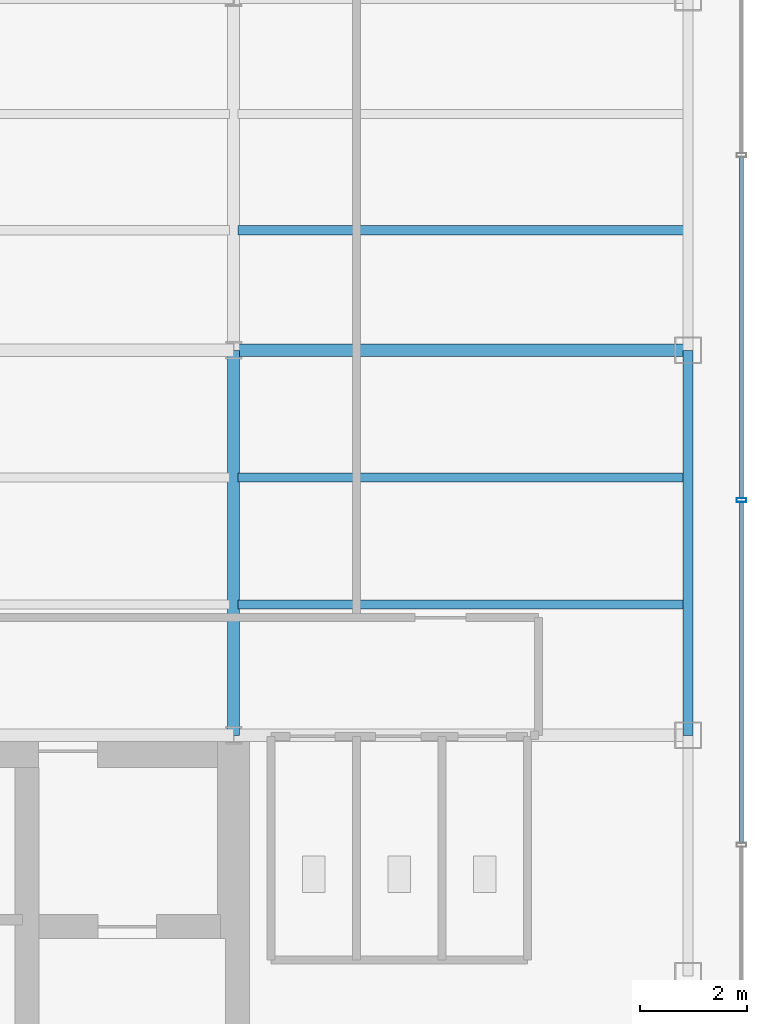
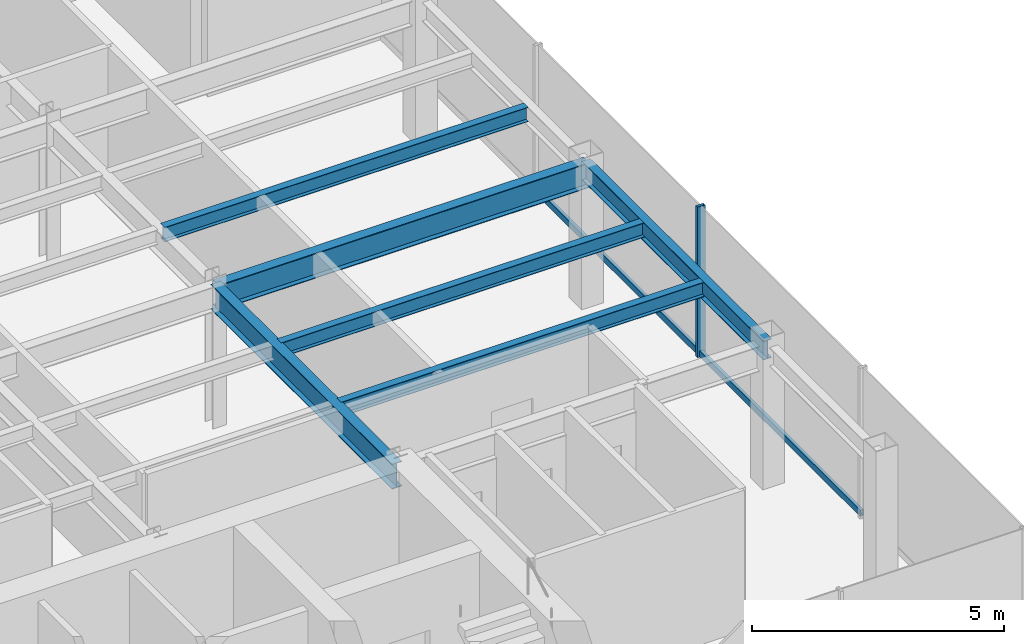
# One storey, part 10 of 22: 6 beams, 3 members, 1 element without a shape of its own.
"""IFC4 building model written with IfcOpenShell, lengths in metres."""

from ifc_helpers import new_model, si_unit, derived_unit, direction, frame, origin, origin_2d, place, context, subcontext, project, spatial, hollow_rectangle, i_section, extrude, source, transform, mapped, material, material_profile, profile_set, type_object, element, aggregate, save


model = new_model("IFC4")

# Units and contexts
model_context = context("Model", 3, precision=1e-05, world=origin(), true_north=direction((0.0, 1.0)))
body_context = subcontext(model_context, "Body", "Model", "MODEL_VIEW")
ifc_project = project(units=[si_unit("LENGTHUNIT", "METRE"), si_unit("AREAUNIT", "SQUARE_METRE"), si_unit("VOLUMEUNIT", "CUBIC_METRE"), si_unit("PLANEANGLEUNIT", "RADIAN"), si_unit("MASSUNIT", "GRAM", prefix="KILO"), derived_unit("THERMALTRANSMITTANCEUNIT", [(si_unit("POWERUNIT", "WATT"), 1), (si_unit("LENGTHUNIT", "METRE"), -2), (si_unit("THERMODYNAMICTEMPERATUREUNIT", "KELVIN"), -1)])], contexts=[model_context])

# Site, building, storey
site_placement = place(None, origin())
site = spatial("IfcSite", under=ifc_project, at=site_placement, CompositionType="ELEMENT")
building_placement = place(site_placement, origin())
building = spatial("IfcBuilding", under=site, at=building_placement, Name="Skarnbrae Concourse Arena and Tower", CompositionType="ELEMENT")
storey_placement = place(building_placement, frame((0.0, 0.0, 225.10009765625)))
storey = spatial("IfcBuildingStorey", under=building, at=storey_placement, Name="L58", CompositionType="ELEMENT", Elevation=225.10009765625)

# Beams
ifc_material_1 = material(Name="Steel CSA G40.21 350W", Category="steel")
ifc_material_profile_1 = material_profile(ifc_material_1, i_section(OverallWidth=0.22802734375, OverallDepth=0.60791015625, WebThickness=0.01123046875, FlangeThickness=0.017333984375, at=origin_2d()), Name="W610X113")
ifc_profile_set_1 = profile_set([ifc_material_profile_1], Name="Steel CSA G40.21 350W")
beam_type_1 = type_object("IfcBeamType", Name="BM-GIRD-W610X113", PredefinedType="BEAM", material=ifc_profile_set_1)
shared_shape_1 = source(origin(), body_context, "Body", "SweptSolid", [
    extrude(i_section(OverallWidth=0.22802734375, OverallDepth=0.60791015625, WebThickness=0.01123046875, FlangeThickness=0.017333984375, at=origin_2d()), origin(), (0.0, 0.0, 1.0), 8.5),
])
beam_1_placement = place(storey_placement, frame((33.5, 21.199951171875, 3.095947265625), z_axis=(1.0, 0.0, 0.0), x_axis=(0.0, 1.0, 0.0)))
element("IfcBeam", 1, at=beam_1_placement, inside=storey, type_object=beam_type_1, Name="L58 Primary E-W girder Y21.2-6", PredefinedType="BEAM", context=body_context, shape_type="MappedRepresentation", body=[
    mapped(shared_shape_1, transform((0.0, 0.0, 0.0))),
])
ifc_material_profile_2 = material_profile(ifc_material_1, i_section(OverallWidth=0.19091796875, OverallDepth=0.4599609375, WebThickness=0.010009765625, FlangeThickness=0.01611328125, at=origin_2d()), Name="W460X82")
ifc_profile_set_2 = profile_set([ifc_material_profile_2], Name="Steel CSA G40.21 350W")
beam_type_2 = type_object("IfcBeamType", Name="BM-SPAN-W460X82", PredefinedType="SPANDREL", material=ifc_profile_set_2)
shared_shape_2 = source(origin(), body_context, "Body", "SweptSolid", [
    extrude(i_section(OverallWidth=0.19091796875, OverallDepth=0.4599609375, WebThickness=0.010009765625, FlangeThickness=0.01611328125, at=origin_2d()), origin(), (0.0, 0.0, 1.0), 7.199951171875),
])
beam_2_placement = place(storey_placement, frame((42.0, 14.0, 3.169921875), z_axis=(0.0, 1.0, 0.0), x_axis=(-1.0, 0.0, 0.0)))
element("IfcBeam", 2, at=beam_2_placement, inside=storey, type_object=beam_type_2, Name="L58 Perimeter spandrel X42.0-2", PredefinedType="SPANDREL", context=body_context, shape_type="MappedRepresentation", body=[
    mapped(shared_shape_2, transform((0.0, 0.0, 0.0))),
])
shared_shape_3 = source(origin(), body_context, "Body", "SweptSolid", [
    extrude(i_section(OverallWidth=0.22802734375, OverallDepth=0.60791015625, WebThickness=0.01123046875, FlangeThickness=0.017333984375, at=origin_2d()), origin(), (0.0, 0.0, 1.0), 7.199951171875),
])
beam_3_placement = place(storey_placement, frame((33.5, 14.0, 3.095947265625), z_axis=(0.0, 1.0, 0.0), x_axis=(-1.0, 0.0, 0.0)))
element("IfcBeam", 3, at=beam_3_placement, inside=storey, type_object=beam_type_1, Name="L58 Primary N-S girder X33.5-1", PredefinedType="BEAM", context=body_context, shape_type="MappedRepresentation", body=[
    mapped(shared_shape_3, transform((0.0, 0.0, 0.0))),
])
ifc_material_profile_3 = material_profile(ifc_material_1, i_section(OverallWidth=0.1708984375, OverallDepth=0.35498046875, WebThickness=0.007080078125, FlangeThickness=0.01171875, at=origin_2d()), Name="W360X51")
ifc_profile_set_3 = profile_set([ifc_material_profile_3], Name="Steel CSA G40.21 350W")
beam_type_3 = type_object("IfcBeamType", Name="BM-JOIST-W360X51", PredefinedType="JOIST", material=ifc_profile_set_3)
shared_shape_4 = source(origin(), body_context, "Body", "SweptSolid", [
    extrude(i_section(OverallWidth=0.1708984375, OverallDepth=0.35498046875, WebThickness=0.007080078125, FlangeThickness=0.01171875, at=origin_2d()), origin(), (0.0, 0.0, 1.0), 8.33984375),
])
for number, where, z_axis, x_axis, name in (
    (4, (33.580078125, 16.447998046875, 3.222412109375), (1.0, 0.0, 0.0), (0.0, 1.0, 0.0), "L58 Secondary floor joist 1.1.6"),
    (5, (33.580078125, 18.823974609375, 3.222412109375), (1.0, 0.0, 0.0), (0.0, 1.0, 0.0), "L58 Secondary floor joist 1.2.6"),
    (6, (33.580078125, 23.444091796875, 3.222412109375), (1.0, 0.0, 0.0), (0.0, 1.0, 0.0), "L58 Secondary floor joist 2.1.6"),
):
    element("IfcBeam", number, at=place(storey_placement, frame(where, z_axis=z_axis, x_axis=x_axis)), inside=storey, type_object=beam_type_3, Name=name, PredefinedType="JOIST", context=body_context, shape_type="MappedRepresentation", body=[
        mapped(shared_shape_4, transform((0.0, 0.0, 0.0))),
    ])

# Curtain wall, members
ifc_material_2 = material(Name="Bronze anodised aluminium 6063-T6", Category="aluminium")
curtain_wall_type = type_object("IfcCurtainWallType", Name="CW-SYS-05-HIGHZONE", PredefinedType="USERDEFINED", material=ifc_material_2)
curtain_wall_placement = place(storey_placement, origin())
curtain_wall = element("IfcCurtainWall", 7, at=curtain_wall_placement, inside=storey, type_object=curtain_wall_type, Name="L58 Unitised curtain wall CW-L58-E04", ObjectType="UNITISED CURTAIN WALL", PredefinedType="USERDEFINED")
ifc_material_profile_4 = material_profile(ifc_material_2, hollow_rectangle(XDim=0.074951171875, YDim=0.179931640625, WallThickness=0.00390625, at=origin_2d()), Name="ALU-MULL-75X180")
ifc_profile_set_4 = profile_set([ifc_material_profile_4], Name="Bronze anodised aluminium 6063-T6")
member_type_1 = type_object("IfcMemberType", Name="CWM-CW-05", PredefinedType="MULLION", material=ifc_profile_set_4)
shared_shape_5 = source(origin(), body_context, "Body", "SweptSolid", [
    extrude(hollow_rectangle(XDim=0.074951171875, YDim=0.179931640625, WallThickness=0.00390625, at=origin_2d()), origin(), (0.0, 0.0, 1.0), 3.64990234375),
])
member_1_placement = place(storey_placement, frame((43.0, 18.39990234375, 0.0), z_axis=(0.0, 0.0, 1.0), x_axis=(0.0, 1.0, 0.0)))
member_1 = element("IfcMember", 8, at=member_1_placement, type_object=member_type_1, Name="CW-L58-E04 Mullion 3", PredefinedType="MULLION", context=body_context, shape_type="MappedRepresentation", body=[
    mapped(shared_shape_5, transform((0.0, 0.0, 0.0))),
])
ifc_material_profile_5 = material_profile(ifc_material_2, hollow_rectangle(XDim=0.074951171875, YDim=0.14990234375, WallThickness=0.00390625, at=origin_2d()), Name="ALU-TRAN-75X150")
ifc_profile_set_5 = profile_set([ifc_material_profile_5], Name="Bronze anodised aluminium 6063-T6")
member_type_2 = type_object("IfcMemberType", Name="CWT-CW-05", PredefinedType="USERDEFINED", material=ifc_profile_set_5)
shared_shape_6 = source(origin(), body_context, "Body", "SweptSolid", [
    extrude(hollow_rectangle(XDim=0.074951171875, YDim=0.14990234375, WallThickness=0.00390625, at=origin_2d()), origin(), (0.0, 0.0, 1.0), 6.375),
])
member_2_placement = place(storey_placement, frame((43.0, 11.987548828125, 0.074951171875), z_axis=(0.0, 1.0, 0.0), x_axis=(-1.0, 0.0, 0.0)))
member_2 = element("IfcMember", 9, at=member_2_placement, type_object=member_type_2, Name="CW-L58-E04 Transom 2", ObjectType="TRANSOM", PredefinedType="USERDEFINED", context=body_context, shape_type="MappedRepresentation", body=[
    mapped(shared_shape_6, transform((0.0, 0.0, 0.0))),
])
member_3_placement = place(storey_placement, frame((43.0, 18.4375, 0.074951171875), z_axis=(0.0, 1.0, 0.0), x_axis=(-1.0, 0.0, 0.0)))
member_3 = element("IfcMember", 10, at=member_3_placement, type_object=member_type_2, Name="CW-L58-E04 Transom 3", ObjectType="TRANSOM", PredefinedType="USERDEFINED", context=body_context, shape_type="MappedRepresentation", body=[
    mapped(shared_shape_6, transform((0.0, 0.0, 0.0))),
])
aggregate(curtain_wall, [member_1, member_2, member_3])

save(model, "model.ifc")
